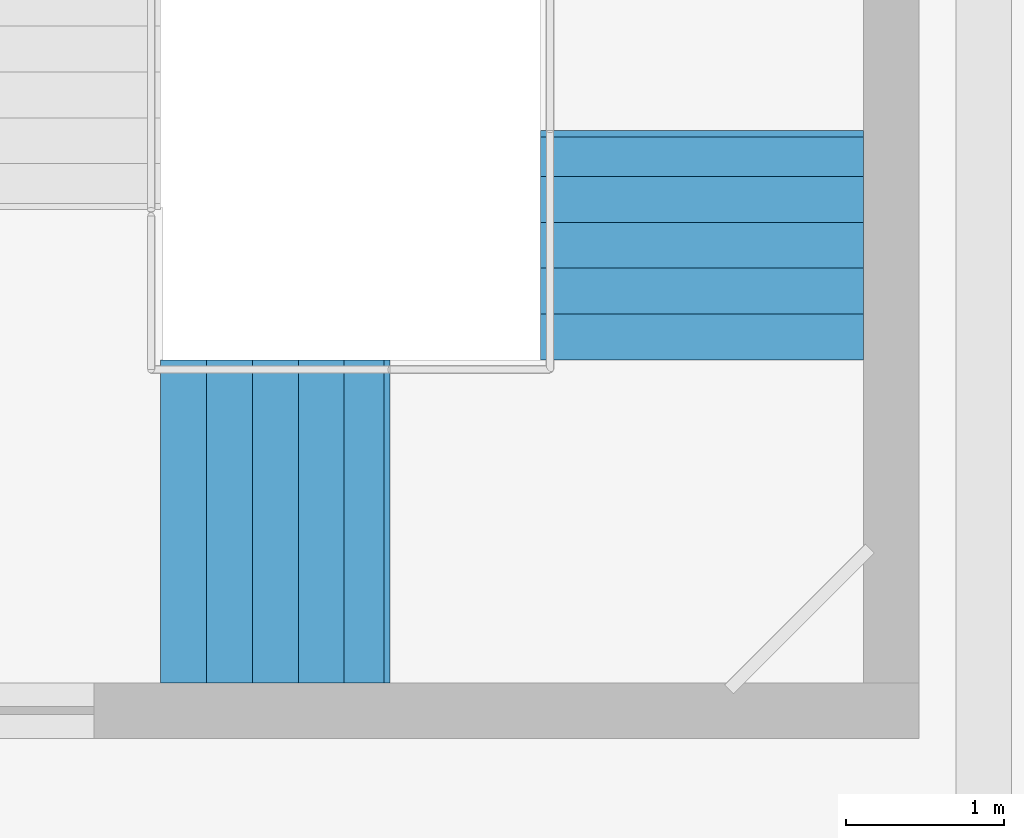
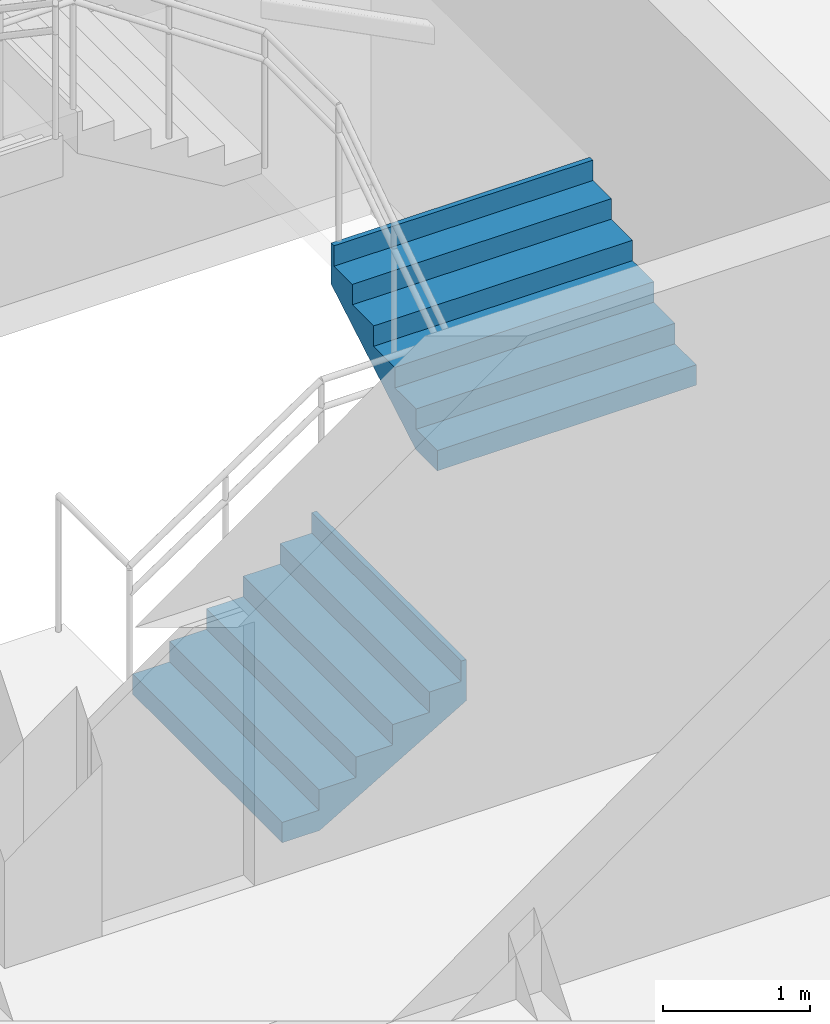
# One storey, part 50 of 53: 2 stair flights, 1 element without a shape of its own.
"""IFC4 building model written with IfcOpenShell, lengths in metres."""

from ifc_helpers import new_model, si_unit, direction, frame, origin, place, context, subcontext, project, spatial, triangles, material, type_object, element, aggregate, save


model = new_model("IFC4")

# Units and contexts
model_context = context("Model", 3, precision=1e-05, world=origin(), true_north=direction((0.0, 1.0)))
body_context = subcontext(model_context, "Body", "Model", "MODEL_VIEW")
ifc_project = project(units=[si_unit("LENGTHUNIT", "METRE"), si_unit("AREAUNIT", "SQUARE_METRE"), si_unit("VOLUMEUNIT", "CUBIC_METRE"), si_unit("PLANEANGLEUNIT", "RADIAN"), si_unit("MASSUNIT", "GRAM", prefix="KILO")], contexts=[model_context])

# Site, building, storey
site_placement = place(None, origin())
site = spatial("IfcSite", under=ifc_project, at=site_placement, CompositionType="ELEMENT")
building_placement = place(site_placement, origin())
building = spatial("IfcBuilding", under=site, at=building_placement, Name="Sillaruma Civic Art Gallery", CompositionType="ELEMENT")
storey_placement = place(building_placement, frame((0.0, 0.0, 70.3798828125)))
storey = spatial("IfcBuildingStorey", under=building, at=storey_placement, Name="L14", CompositionType="ELEMENT", Elevation=70.3798828125)

# Stair, stair flights
ifc_material = material(Name="Concrete H35 (35 MPa)", Category="concrete")
stair_type = type_object("IfcStairType", Name="STR-4F-24", PredefinedType="USERDEFINED", material=ifc_material)
stair_placement = place(storey_placement, origin())
stair = element("IfcStair", 1, at=stair_placement, inside=storey, type_object=stair_type, Name="Protected Exit Stair ST-02 (West Bar North) (L14)", ObjectType="THREE_RETURN_STAIR", PredefinedType="USERDEFINED")
stair_flight_type = type_object("IfcStairFlightType", Name="SFL-STR-6", PredefinedType="STRAIGHT", material=ifc_material)
stair_flight_1_placement = place(storey_placement, frame((64.800048828125, 81.929931640625, 0.0), z_axis=(0.0, 0.0, 1.0), x_axis=(1.0, 0.0, 0.0)))
stair_flight_1 = element("IfcStairFlight", 2, at=stair_flight_1_placement, type_object=stair_flight_type, Name="ST-02 flight 1", NumberOfRisers=6, NumberOfTreads=5, PredefinedType="STRAIGHT", RiserHeight=0.17, TreadLength=0.29, context=body_context, shape_type="Tessellation", body=[
    triangles([(0.0, -1.02001953125, 0.0), (0.29, -1.02001953125, 0.0), (0.296365, -1.02001953125, 0.0), (0.58, -1.02001953125, 0.166269), (0.87, -1.02001953125, 0.336269), (1.16, -1.02001953125, 0.506269), (1.409951, -1.02001953125, 0.652792), (1.449951, -1.02001953125, 0.67624), (1.449951, -1.02001953125, 1.02), (1.409951, -1.02001953125, 1.02), (1.409951, -1.02001953125, 0.85), (1.16, -1.02001953125, 0.85), (1.16, -1.02001953125, 0.68), (0.87, -1.02001953125, 0.68), (0.87, -1.02001953125, 0.51), (0.58, -1.02001953125, 0.51), (0.58, -1.02001953125, 0.34), (0.296365, -1.02001953125, 0.34), (0.29, -1.02001953125, 0.34), (0.29, -1.02001953125, 0.17), (0.0, -1.02001953125, 0.17), (0.0, -0.05, 0.0), (0.29, -0.05, 0.0), (0.296365, -0.05, 0.0), (0.58, -0.05, 0.166269), (0.87, -0.05, 0.336269), (1.16, -0.05, 0.506269), (1.409951, -0.05, 0.652792), (1.449951, -0.05, 0.67624), (1.449951, -0.05, 1.02), (1.409951, -0.05, 1.02), (1.409951, -0.05, 0.85), (1.16, -0.05, 0.85), (1.16, -0.05, 0.68), (0.87, -0.05, 0.68), (0.87, -0.05, 0.51), (0.58, -0.05, 0.51), (0.58, -0.05, 0.34), (0.296365, -0.05, 0.34), (0.29, -0.05, 0.34), (0.29, -0.05, 0.17), (0.0, -0.05, 0.17), (0.0, -0.0375, 0.0), (0.29, -0.0375, 0.0), (0.296365, -0.0375, 0.0), (0.58, -0.0375, 0.166269), (0.87, -0.0375, 0.336269), (1.16, -0.0375, 0.506269), (1.409951, -0.0375, 0.652792), (1.449951, -0.0375, 0.67624), (1.449951, -0.0375, 1.02), (1.409951, -0.0375, 1.02), (1.409951, -0.0375, 0.85), (1.16, -0.0375, 0.85), (1.16, -0.0375, 0.68), (0.87, -0.0375, 0.68), (0.87, -0.0375, 0.51), (0.58, -0.0375, 0.51), (0.58, -0.0375, 0.34), (0.296365, -0.0375, 0.34), (0.29, -0.0375, 0.34), (0.29, -0.0375, 0.17), (0.0, -0.0375, 0.17), (0.0, -0.025, 0.0), (0.29, -0.025, 0.0), (0.296365, -0.025, 0.0), (0.58, -0.025, 0.166269), (0.87, -0.025, 0.336269), (1.16, -0.025, 0.506269), (1.409951, -0.025, 0.652792), (1.449951, -0.025, 0.67624), (1.449951, -0.025, 1.02), (1.409951, -0.025, 1.02), (1.409951, -0.025, 0.85), (1.16, -0.025, 0.85), (1.16, -0.025, 0.68), (0.87, -0.025, 0.68), (0.87, -0.025, 0.51), (0.58, -0.025, 0.51), (0.58, -0.025, 0.34), (0.296365, -0.025, 0.34), (0.29, -0.025, 0.34), (0.29, -0.025, 0.17), (0.0, -0.025, 0.17), (0.0, -0.0125, 0.0), (0.29, -0.0125, 0.0), (0.296365, -0.0125, 0.0), (0.58, -0.0125, 0.166269), (0.87, -0.0125, 0.336269), (1.16, -0.0125, 0.506269), (1.409951, -0.0125, 0.652792), (1.449951, -0.0125, 0.67624), (1.449951, -0.0125, 1.02), (1.409951, -0.0125, 1.02), (1.409951, -0.0125, 0.85), (1.16, -0.0125, 0.85), (1.16, -0.0125, 0.68), (0.87, -0.0125, 0.68), (0.87, -0.0125, 0.51), (0.58, -0.0125, 0.51), (0.58, -0.0125, 0.34), (0.296365, -0.0125, 0.34), (0.29, -0.0125, 0.34), (0.29, -0.0125, 0.17), (0.0, -0.0125, 0.17), (0.0, 0.0, 0.0), (0.29, 0.0, 0.0), (0.296365, 0.0, 0.0), (0.58, 0.0, 0.166269), (0.87, 0.0, 0.336269), (1.16, 0.0, 0.506269), (1.409951, 0.0, 0.652792), (1.449951, 0.0, 0.67624), (1.449951, 0.0, 1.02), (1.409951, 0.0, 1.02), (1.409951, 0.0, 0.85), (1.16, 0.0, 0.85), (1.16, 0.0, 0.68), (0.87, 0.0, 0.68), (0.87, 0.0, 0.51), (0.58, 0.0, 0.51), (0.58, 0.0, 0.34), (0.296365, 0.0, 0.34), (0.29, 0.0, 0.34), (0.29, 0.0, 0.17), (0.0, 0.0, 0.17), (0.0, 0.0125, 0.0), (0.29, 0.0125, 0.0), (0.296365, 0.0125, 0.0), (0.58, 0.0125, 0.166269), (0.87, 0.0125, 0.336269), (1.16, 0.0125, 0.506269), (1.409951, 0.0125, 0.652792), (1.449951, 0.0125, 0.67624), (1.449951, 0.0125, 1.02), (1.409951, 0.0125, 1.02), (1.409951, 0.0125, 0.85), (1.16, 0.0125, 0.85), (1.16, 0.0125, 0.68), (0.87, 0.0125, 0.68), (0.87, 0.0125, 0.51), (0.58, 0.0125, 0.51), (0.58, 0.0125, 0.34), (0.296365, 0.0125, 0.34), (0.29, 0.0125, 0.34), (0.29, 0.0125, 0.17), (0.0, 0.0125, 0.17), (0.0, 0.025, 0.0), (0.29, 0.025, 0.0), (0.296365, 0.025, 0.0), (0.58, 0.025, 0.166269), (0.87, 0.025, 0.336269), (1.16, 0.025, 0.506269), (1.409951, 0.025, 0.652792), (1.449951, 0.025, 0.67624), (1.449951, 0.025, 1.02), (1.409951, 0.025, 1.02), (1.409951, 0.025, 0.85), (1.16, 0.025, 0.85), (1.16, 0.025, 0.68), (0.87, 0.025, 0.68), (0.87, 0.025, 0.51), (0.58, 0.025, 0.51), (0.58, 0.025, 0.34), (0.296365, 0.025, 0.34), (0.29, 0.025, 0.34), (0.29, 0.025, 0.17), (0.0, 0.025, 0.17), (0.0, 0.0375, 0.0), (0.29, 0.0375, 0.0), (0.296365, 0.0375, 0.0), (0.58, 0.0375, 0.166269), (0.87, 0.0375, 0.336269), (1.16, 0.0375, 0.506269), (1.409951, 0.0375, 0.652792), (1.449951, 0.0375, 0.67624), (1.449951, 0.0375, 1.02), (1.409951, 0.0375, 1.02), (1.409951, 0.0375, 0.85), (1.16, 0.0375, 0.85), (1.16, 0.0375, 0.68), (0.87, 0.0375, 0.68), (0.87, 0.0375, 0.51), (0.58, 0.0375, 0.51), (0.58, 0.0375, 0.34), (0.296365, 0.0375, 0.34), (0.29, 0.0375, 0.34), (0.29, 0.0375, 0.17), (0.0, 0.0375, 0.17), (0.0, 0.05, 0.0), (0.29, 0.05, 0.0), (0.296365, 0.05, 0.0), (0.58, 0.05, 0.166269), (0.87, 0.05, 0.336269), (1.16, 0.05, 0.506269), (1.409951, 0.05, 0.652792), (1.449951, 0.05, 0.67624), (1.449951, 0.05, 1.02), (1.409951, 0.05, 1.02), (1.409951, 0.05, 0.85), (1.16, 0.05, 0.85), (1.16, 0.05, 0.68), (0.87, 0.05, 0.68), (0.87, 0.05, 0.51), (0.58, 0.05, 0.51), (0.58, 0.05, 0.34), (0.296365, 0.05, 0.34), (0.29, 0.05, 0.34), (0.29, 0.05, 0.17), (0.0, 0.05, 0.17), (0.0, 1.02001953125, 0.0), (0.29, 1.02001953125, 0.0), (0.296365, 1.02001953125, 0.0), (0.58, 1.02001953125, 0.166269), (0.87, 1.02001953125, 0.336269), (1.16, 1.02001953125, 0.506269), (1.409951, 1.02001953125, 0.652792), (1.449951, 1.02001953125, 0.67624), (1.449951, 1.02001953125, 1.02), (1.409951, 1.02001953125, 1.02), (1.409951, 1.02001953125, 0.85), (1.16, 1.02001953125, 0.85), (1.16, 1.02001953125, 0.68), (0.87, 1.02001953125, 0.68), (0.87, 1.02001953125, 0.51), (0.58, 1.02001953125, 0.51), (0.58, 1.02001953125, 0.34), (0.296365, 1.02001953125, 0.34), (0.29, 1.02001953125, 0.34), (0.29, 1.02001953125, 0.17), (0.0, 1.02001953125, 0.17)], [[1, 2, 20], [1, 20, 21], [2, 3, 18], [2, 18, 20], [20, 18, 19], [3, 4, 17], [3, 17, 18], [4, 5, 15], [4, 15, 17], [17, 15, 16], [5, 6, 13], [5, 13, 15], [15, 13, 14], [6, 7, 11], [6, 11, 13], [13, 11, 12], [7, 8, 9], [7, 9, 11], [11, 9, 10], [230, 212, 211], [231, 230, 211], [228, 213, 212], [230, 228, 212], [229, 228, 230], [227, 214, 213], [228, 227, 213], [225, 215, 214], [227, 225, 214], [226, 225, 227], [223, 216, 215], [225, 223, 215], [224, 223, 225], [221, 217, 216], [223, 221, 216], [222, 221, 223], [219, 218, 217], [221, 219, 217], [220, 219, 221], [2, 1, 22], [2, 22, 23], [3, 2, 23], [3, 23, 24], [4, 3, 24], [4, 24, 25], [5, 4, 25], [5, 25, 26], [6, 5, 26], [6, 26, 27], [7, 6, 27], [7, 27, 28], [8, 7, 28], [8, 28, 29], [9, 8, 29], [9, 29, 30], [10, 9, 30], [10, 30, 31], [11, 10, 31], [11, 31, 32], [12, 11, 32], [12, 32, 33], [13, 12, 33], [13, 33, 34], [14, 13, 34], [14, 34, 35], [15, 14, 35], [15, 35, 36], [16, 15, 36], [16, 36, 37], [17, 16, 37], [17, 37, 38], [18, 17, 38], [18, 38, 39], [19, 18, 39], [19, 39, 40], [20, 19, 40], [20, 40, 41], [21, 20, 41], [21, 41, 42], [1, 21, 42], [1, 42, 22], [23, 22, 43], [23, 43, 44], [24, 23, 44], [24, 44, 45], [25, 24, 45], [25, 45, 46], [26, 25, 46], [26, 46, 47], [27, 26, 47], [27, 47, 48], [28, 27, 48], [28, 48, 49], [29, 28, 49], [29, 49, 50], [30, 29, 50], [30, 50, 51], [31, 30, 51], [31, 51, 52], [32, 31, 52], [32, 52, 53], [33, 32, 53], [33, 53, 54], [34, 33, 54], [34, 54, 55], [35, 34, 55], [35, 55, 56], [36, 35, 56], [36, 56, 57], [37, 36, 57], [37, 57, 58], [38, 37, 58], [38, 58, 59], [39, 38, 59], [39, 59, 60], [40, 39, 60], [40, 60, 61], [41, 40, 61], [41, 61, 62], [42, 41, 62], [42, 62, 63], [22, 42, 63], [22, 63, 43], [44, 43, 64], [44, 64, 65], [45, 44, 65], [45, 65, 66], [46, 45, 66], [46, 66, 67], [47, 46, 67], [47, 67, 68], [48, 47, 68], [48, 68, 69], [49, 48, 69], [49, 69, 70], [50, 49, 70], [50, 70, 71], [51, 50, 71], [51, 71, 72], [52, 51, 72], [52, 72, 73], [53, 52, 73], [53, 73, 74], [54, 53, 74], [54, 74, 75], [55, 54, 75], [55, 75, 76], [56, 55, 76], [56, 76, 77], [57, 56, 77], [57, 77, 78], [58, 57, 78], [58, 78, 79], [59, 58, 79], [59, 79, 80], [60, 59, 80], [60, 80, 81], [61, 60, 81], [61, 81, 82], [62, 61, 82], [62, 82, 83], [63, 62, 83], [63, 83, 84], [43, 63, 84], [43, 84, 64], [65, 64, 85], [65, 85, 86], [66, 65, 86], [66, 86, 87], [67, 66, 87], [67, 87, 88], [68, 67, 88], [68, 88, 89], [69, 68, 89], [69, 89, 90], [70, 69, 90], [70, 90, 91], [71, 70, 91], [71, 91, 92], [72, 71, 92], [72, 92, 93], [73, 72, 93], [73, 93, 94], [74, 73, 94], [74, 94, 95], [75, 74, 95], [75, 95, 96], [76, 75, 96], [76, 96, 97], [77, 76, 97], [77, 97, 98], [78, 77, 98], [78, 98, 99], [79, 78, 99], [79, 99, 100], [80, 79, 100], [80, 100, 101], [81, 80, 101], [81, 101, 102], [82, 81, 102], [82, 102, 103], [83, 82, 103], [83, 103, 104], [84, 83, 104], [84, 104, 105], [64, 84, 105], [64, 105, 85], [86, 85, 106], [86, 106, 107], [87, 86, 107], [87, 107, 108], [88, 87, 108], [88, 108, 109], [89, 88, 109], [89, 109, 110], [90, 89, 110], [90, 110, 111], [91, 90, 111], [91, 111, 112], [92, 91, 112], [92, 112, 113], [93, 92, 113], [93, 113, 114], [94, 93, 114], [94, 114, 115], [95, 94, 115], [95, 115, 116], [96, 95, 116], [96, 116, 117], [97, 96, 117], [97, 117, 118], [98, 97, 118], [98, 118, 119], [99, 98, 119], [99, 119, 120], [100, 99, 120], [100, 120, 121], [101, 100, 121], [101, 121, 122], [102, 101, 122], [102, 122, 123], [103, 102, 123], [103, 123, 124], [104, 103, 124], [104, 124, 125], [105, 104, 125], [105, 125, 126], [85, 105, 126], [85, 126, 106], [107, 106, 127], [107, 127, 128], [108, 107, 128], [108, 128, 129], [109, 108, 129], [109, 129, 130], [110, 109, 130], [110, 130, 131], [111, 110, 131], [111, 131, 132], [112, 111, 132], [112, 132, 133], [113, 112, 133], [113, 133, 134], [114, 113, 134], [114, 134, 135], [115, 114, 135], [115, 135, 136], [116, 115, 136], [116, 136, 137], [117, 116, 137], [117, 137, 138], [118, 117, 138], [118, 138, 139], [119, 118, 139], [119, 139, 140], [120, 119, 140], [120, 140, 141], [121, 120, 141], [121, 141, 142], [122, 121, 142], [122, 142, 143], [123, 122, 143], [123, 143, 144], [124, 123, 144], [124, 144, 145], [125, 124, 145], [125, 145, 146], [126, 125, 146], [126, 146, 147], [106, 126, 147], [106, 147, 127], [128, 127, 148], [128, 148, 149], [129, 128, 149], [129, 149, 150], [130, 129, 150], [130, 150, 151], [131, 130, 151], [131, 151, 152], [132, 131, 152], [132, 152, 153], [133, 132, 153], [133, 153, 154], [134, 133, 154], [134, 154, 155], [135, 134, 155], [135, 155, 156], [136, 135, 156], [136, 156, 157], [137, 136, 157], [137, 157, 158], [138, 137, 158], [138, 158, 159], [139, 138, 159], [139, 159, 160], [140, 139, 160], [140, 160, 161], [141, 140, 161], [141, 161, 162], [142, 141, 162], [142, 162, 163], [143, 142, 163], [143, 163, 164], [144, 143, 164], [144, 164, 165], [145, 144, 165], [145, 165, 166], [146, 145, 166], [146, 166, 167], [147, 146, 167], [147, 167, 168], [127, 147, 168], [127, 168, 148], [149, 148, 169], [149, 169, 170], [150, 149, 170], [150, 170, 171], [151, 150, 171], [151, 171, 172], [152, 151, 172], [152, 172, 173], [153, 152, 173], [153, 173, 174], [154, 153, 174], [154, 174, 175], [155, 154, 175], [155, 175, 176], [156, 155, 176], [156, 176, 177], [157, 156, 177], [157, 177, 178], [158, 157, 178], [158, 178, 179], [159, 158, 179], [159, 179, 180], [160, 159, 180], [160, 180, 181], [161, 160, 181], [161, 181, 182], [162, 161, 182], [162, 182, 183], [163, 162, 183], [163, 183, 184], [164, 163, 184], [164, 184, 185], [165, 164, 185], [165, 185, 186], [166, 165, 186], [166, 186, 187], [167, 166, 187], [167, 187, 188], [168, 167, 188], [168, 188, 189], [148, 168, 189], [148, 189, 169], [170, 169, 190], [170, 190, 191], [171, 170, 191], [171, 191, 192], [172, 171, 192], [172, 192, 193], [173, 172, 193], [173, 193, 194], [174, 173, 194], [174, 194, 195], [175, 174, 195], [175, 195, 196], [176, 175, 196], [176, 196, 197], [177, 176, 197], [177, 197, 198], [178, 177, 198], [178, 198, 199], [179, 178, 199], [179, 199, 200], [180, 179, 200], [180, 200, 201], [181, 180, 201], [181, 201, 202], [182, 181, 202], [182, 202, 203], [183, 182, 203], [183, 203, 204], [184, 183, 204], [184, 204, 205], [185, 184, 205], [185, 205, 206], [186, 185, 206], [186, 206, 207], [187, 186, 207], [187, 207, 208], [188, 187, 208], [188, 208, 209], [189, 188, 209], [189, 209, 210], [169, 189, 210], [169, 210, 190], [191, 190, 211], [191, 211, 212], [192, 191, 212], [192, 212, 213], [193, 192, 213], [193, 213, 214], [194, 193, 214], [194, 214, 215], [195, 194, 215], [195, 215, 216], [196, 195, 216], [196, 216, 217], [197, 196, 217], [197, 217, 218], [198, 197, 218], [198, 218, 219], [199, 198, 219], [199, 219, 220], [200, 199, 220], [200, 220, 221], [201, 200, 221], [201, 221, 222], [202, 201, 222], [202, 222, 223], [203, 202, 223], [203, 223, 224], [204, 203, 224], [204, 224, 225], [205, 204, 225], [205, 225, 226], [206, 205, 226], [206, 226, 227], [207, 206, 227], [207, 227, 228], [208, 207, 228], [208, 228, 229], [209, 208, 229], [209, 229, 230], [210, 209, 230], [210, 230, 231], [190, 210, 231], [190, 231, 211]], closed=True),
])
stair_flight_2_placement = place(storey_placement, frame((68.219970703125, 82.949951171875, 1.02001953125), z_axis=(0.0, 0.0, 1.0), x_axis=(0.0, 1.0, 0.0)))
stair_flight_2 = element("IfcStairFlight", 3, at=stair_flight_2_placement, type_object=stair_flight_type, Name="ST-02 flight 2", NumberOfRisers=6, NumberOfTreads=5, PredefinedType="STRAIGHT", RiserHeight=0.17, TreadLength=0.29, context=body_context, shape_type="Tessellation", body=[
    triangles([(0.0, -1.02001953125, 0.0), (0.29, -1.02001953125, 0.0), (0.296365, -1.02001953125, 0.0), (0.58, -1.02001953125, 0.166269), (0.87, -1.02001953125, 0.336269), (1.16, -1.02001953125, 0.506269), (1.409951, -1.02001953125, 0.652792), (1.449951, -1.02001953125, 0.67624), (1.449951, -1.02001953125, 1.02), (1.409951, -1.02001953125, 1.02), (1.409951, -1.02001953125, 0.85), (1.16, -1.02001953125, 0.85), (1.16, -1.02001953125, 0.68), (0.87, -1.02001953125, 0.68), (0.87, -1.02001953125, 0.51), (0.58, -1.02001953125, 0.51), (0.58, -1.02001953125, 0.34), (0.296365, -1.02001953125, 0.34), (0.29, -1.02001953125, 0.34), (0.29, -1.02001953125, 0.17), (0.0, -1.02001953125, 0.17), (0.0, -0.05, 0.0), (0.29, -0.05, 0.0), (0.296365, -0.05, 0.0), (0.58, -0.05, 0.166269), (0.87, -0.05, 0.336269), (1.16, -0.05, 0.506269), (1.409951, -0.05, 0.652792), (1.449951, -0.05, 0.67624), (1.449951, -0.05, 1.02), (1.409951, -0.05, 1.02), (1.409951, -0.05, 0.85), (1.16, -0.05, 0.85), (1.16, -0.05, 0.68), (0.87, -0.05, 0.68), (0.87, -0.05, 0.51), (0.58, -0.05, 0.51), (0.58, -0.05, 0.34), (0.296365, -0.05, 0.34), (0.29, -0.05, 0.34), (0.29, -0.05, 0.17), (0.0, -0.05, 0.17), (0.0, -0.0375, 0.0), (0.29, -0.0375, 0.0), (0.296365, -0.0375, 0.0), (0.58, -0.0375, 0.166269), (0.87, -0.0375, 0.336269), (1.16, -0.0375, 0.506269), (1.409951, -0.0375, 0.652792), (1.449951, -0.0375, 0.67624), (1.449951, -0.0375, 1.02), (1.409951, -0.0375, 1.02), (1.409951, -0.0375, 0.85), (1.16, -0.0375, 0.85), (1.16, -0.0375, 0.68), (0.87, -0.0375, 0.68), (0.87, -0.0375, 0.51), (0.58, -0.0375, 0.51), (0.58, -0.0375, 0.34), (0.296365, -0.0375, 0.34), (0.29, -0.0375, 0.34), (0.29, -0.0375, 0.17), (0.0, -0.0375, 0.17), (0.0, -0.025, 0.0), (0.29, -0.025, 0.0), (0.296365, -0.025, 0.0), (0.58, -0.025, 0.166269), (0.87, -0.025, 0.336269), (1.16, -0.025, 0.506269), (1.409951, -0.025, 0.652792), (1.449951, -0.025, 0.67624), (1.449951, -0.025, 1.02), (1.409951, -0.025, 1.02), (1.409951, -0.025, 0.85), (1.16, -0.025, 0.85), (1.16, -0.025, 0.68), (0.87, -0.025, 0.68), (0.87, -0.025, 0.51), (0.58, -0.025, 0.51), (0.58, -0.025, 0.34), (0.296365, -0.025, 0.34), (0.29, -0.025, 0.34), (0.29, -0.025, 0.17), (0.0, -0.025, 0.17), (0.0, -0.0125, 0.0), (0.29, -0.0125, 0.0), (0.296365, -0.0125, 0.0), (0.58, -0.0125, 0.166269), (0.87, -0.0125, 0.336269), (1.16, -0.0125, 0.506269), (1.409951, -0.0125, 0.652792), (1.449951, -0.0125, 0.67624), (1.449951, -0.0125, 1.02), (1.409951, -0.0125, 1.02), (1.409951, -0.0125, 0.85), (1.16, -0.0125, 0.85), (1.16, -0.0125, 0.68), (0.87, -0.0125, 0.68), (0.87, -0.0125, 0.51), (0.58, -0.0125, 0.51), (0.58, -0.0125, 0.34), (0.296365, -0.0125, 0.34), (0.29, -0.0125, 0.34), (0.29, -0.0125, 0.17), (0.0, -0.0125, 0.17), (0.0, 0.0, 0.0), (0.29, 0.0, 0.0), (0.296365, 0.0, 0.0), (0.58, 0.0, 0.166269), (0.87, 0.0, 0.336269), (1.16, 0.0, 0.506269), (1.409951, 0.0, 0.652792), (1.449951, 0.0, 0.67624), (1.449951, 0.0, 1.02), (1.409951, 0.0, 1.02), (1.409951, 0.0, 0.85), (1.16, 0.0, 0.85), (1.16, 0.0, 0.68), (0.87, 0.0, 0.68), (0.87, 0.0, 0.51), (0.58, 0.0, 0.51), (0.58, 0.0, 0.34), (0.296365, 0.0, 0.34), (0.29, 0.0, 0.34), (0.29, 0.0, 0.17), (0.0, 0.0, 0.17), (0.0, 0.0125, 0.0), (0.29, 0.0125, 0.0), (0.296365, 0.0125, 0.0), (0.58, 0.0125, 0.166269), (0.87, 0.0125, 0.336269), (1.16, 0.0125, 0.506269), (1.409951, 0.0125, 0.652792), (1.449951, 0.0125, 0.67624), (1.449951, 0.0125, 1.02), (1.409951, 0.0125, 1.02), (1.409951, 0.0125, 0.85), (1.16, 0.0125, 0.85), (1.16, 0.0125, 0.68), (0.87, 0.0125, 0.68), (0.87, 0.0125, 0.51), (0.58, 0.0125, 0.51), (0.58, 0.0125, 0.34), (0.296365, 0.0125, 0.34), (0.29, 0.0125, 0.34), (0.29, 0.0125, 0.17), (0.0, 0.0125, 0.17), (0.0, 0.025, 0.0), (0.29, 0.025, 0.0), (0.296365, 0.025, 0.0), (0.58, 0.025, 0.166269), (0.87, 0.025, 0.336269), (1.16, 0.025, 0.506269), (1.409951, 0.025, 0.652792), (1.449951, 0.025, 0.67624), (1.449951, 0.025, 1.02), (1.409951, 0.025, 1.02), (1.409951, 0.025, 0.85), (1.16, 0.025, 0.85), (1.16, 0.025, 0.68), (0.87, 0.025, 0.68), (0.87, 0.025, 0.51), (0.58, 0.025, 0.51), (0.58, 0.025, 0.34), (0.296365, 0.025, 0.34), (0.29, 0.025, 0.34), (0.29, 0.025, 0.17), (0.0, 0.025, 0.17), (0.0, 0.0375, 0.0), (0.29, 0.0375, 0.0), (0.296365, 0.0375, 0.0), (0.58, 0.0375, 0.166269), (0.87, 0.0375, 0.336269), (1.16, 0.0375, 0.506269), (1.409951, 0.0375, 0.652792), (1.449951, 0.0375, 0.67624), (1.449951, 0.0375, 1.02), (1.409951, 0.0375, 1.02), (1.409951, 0.0375, 0.85), (1.16, 0.0375, 0.85), (1.16, 0.0375, 0.68), (0.87, 0.0375, 0.68), (0.87, 0.0375, 0.51), (0.58, 0.0375, 0.51), (0.58, 0.0375, 0.34), (0.296365, 0.0375, 0.34), (0.29, 0.0375, 0.34), (0.29, 0.0375, 0.17), (0.0, 0.0375, 0.17), (0.0, 0.05, 0.0), (0.29, 0.05, 0.0), (0.296365, 0.05, 0.0), (0.58, 0.05, 0.166269), (0.87, 0.05, 0.336269), (1.16, 0.05, 0.506269), (1.409951, 0.05, 0.652792), (1.449951, 0.05, 0.67624), (1.449951, 0.05, 1.02), (1.409951, 0.05, 1.02), (1.409951, 0.05, 0.85), (1.16, 0.05, 0.85), (1.16, 0.05, 0.68), (0.87, 0.05, 0.68), (0.87, 0.05, 0.51), (0.58, 0.05, 0.51), (0.58, 0.05, 0.34), (0.296365, 0.05, 0.34), (0.29, 0.05, 0.34), (0.29, 0.05, 0.17), (0.0, 0.05, 0.17), (0.0, 1.02001953125, 0.0), (0.29, 1.02001953125, 0.0), (0.296365, 1.02001953125, 0.0), (0.58, 1.02001953125, 0.166269), (0.87, 1.02001953125, 0.336269), (1.16, 1.02001953125, 0.506269), (1.409951, 1.02001953125, 0.652792), (1.449951, 1.02001953125, 0.67624), (1.449951, 1.02001953125, 1.02), (1.409951, 1.02001953125, 1.02), (1.409951, 1.02001953125, 0.85), (1.16, 1.02001953125, 0.85), (1.16, 1.02001953125, 0.68), (0.87, 1.02001953125, 0.68), (0.87, 1.02001953125, 0.51), (0.58, 1.02001953125, 0.51), (0.58, 1.02001953125, 0.34), (0.296365, 1.02001953125, 0.34), (0.29, 1.02001953125, 0.34), (0.29, 1.02001953125, 0.17), (0.0, 1.02001953125, 0.17)], [[1, 2, 20], [1, 20, 21], [2, 3, 18], [2, 18, 20], [20, 18, 19], [3, 4, 17], [3, 17, 18], [4, 5, 15], [4, 15, 17], [17, 15, 16], [5, 6, 13], [5, 13, 15], [15, 13, 14], [6, 7, 11], [6, 11, 13], [13, 11, 12], [7, 8, 9], [7, 9, 11], [11, 9, 10], [230, 212, 211], [231, 230, 211], [228, 213, 212], [230, 228, 212], [229, 228, 230], [227, 214, 213], [228, 227, 213], [225, 215, 214], [227, 225, 214], [226, 225, 227], [223, 216, 215], [225, 223, 215], [224, 223, 225], [221, 217, 216], [223, 221, 216], [222, 221, 223], [219, 218, 217], [221, 219, 217], [220, 219, 221], [2, 1, 22], [2, 22, 23], [3, 2, 23], [3, 23, 24], [4, 3, 24], [4, 24, 25], [5, 4, 25], [5, 25, 26], [6, 5, 26], [6, 26, 27], [7, 6, 27], [7, 27, 28], [8, 7, 28], [8, 28, 29], [9, 8, 29], [9, 29, 30], [10, 9, 30], [10, 30, 31], [11, 10, 31], [11, 31, 32], [12, 11, 32], [12, 32, 33], [13, 12, 33], [13, 33, 34], [14, 13, 34], [14, 34, 35], [15, 14, 35], [15, 35, 36], [16, 15, 36], [16, 36, 37], [17, 16, 37], [17, 37, 38], [18, 17, 38], [18, 38, 39], [19, 18, 39], [19, 39, 40], [20, 19, 40], [20, 40, 41], [21, 20, 41], [21, 41, 42], [1, 21, 42], [1, 42, 22], [23, 22, 43], [23, 43, 44], [24, 23, 44], [24, 44, 45], [25, 24, 45], [25, 45, 46], [26, 25, 46], [26, 46, 47], [27, 26, 47], [27, 47, 48], [28, 27, 48], [28, 48, 49], [29, 28, 49], [29, 49, 50], [30, 29, 50], [30, 50, 51], [31, 30, 51], [31, 51, 52], [32, 31, 52], [32, 52, 53], [33, 32, 53], [33, 53, 54], [34, 33, 54], [34, 54, 55], [35, 34, 55], [35, 55, 56], [36, 35, 56], [36, 56, 57], [37, 36, 57], [37, 57, 58], [38, 37, 58], [38, 58, 59], [39, 38, 59], [39, 59, 60], [40, 39, 60], [40, 60, 61], [41, 40, 61], [41, 61, 62], [42, 41, 62], [42, 62, 63], [22, 42, 63], [22, 63, 43], [44, 43, 64], [44, 64, 65], [45, 44, 65], [45, 65, 66], [46, 45, 66], [46, 66, 67], [47, 46, 67], [47, 67, 68], [48, 47, 68], [48, 68, 69], [49, 48, 69], [49, 69, 70], [50, 49, 70], [50, 70, 71], [51, 50, 71], [51, 71, 72], [52, 51, 72], [52, 72, 73], [53, 52, 73], [53, 73, 74], [54, 53, 74], [54, 74, 75], [55, 54, 75], [55, 75, 76], [56, 55, 76], [56, 76, 77], [57, 56, 77], [57, 77, 78], [58, 57, 78], [58, 78, 79], [59, 58, 79], [59, 79, 80], [60, 59, 80], [60, 80, 81], [61, 60, 81], [61, 81, 82], [62, 61, 82], [62, 82, 83], [63, 62, 83], [63, 83, 84], [43, 63, 84], [43, 84, 64], [65, 64, 85], [65, 85, 86], [66, 65, 86], [66, 86, 87], [67, 66, 87], [67, 87, 88], [68, 67, 88], [68, 88, 89], [69, 68, 89], [69, 89, 90], [70, 69, 90], [70, 90, 91], [71, 70, 91], [71, 91, 92], [72, 71, 92], [72, 92, 93], [73, 72, 93], [73, 93, 94], [74, 73, 94], [74, 94, 95], [75, 74, 95], [75, 95, 96], [76, 75, 96], [76, 96, 97], [77, 76, 97], [77, 97, 98], [78, 77, 98], [78, 98, 99], [79, 78, 99], [79, 99, 100], [80, 79, 100], [80, 100, 101], [81, 80, 101], [81, 101, 102], [82, 81, 102], [82, 102, 103], [83, 82, 103], [83, 103, 104], [84, 83, 104], [84, 104, 105], [64, 84, 105], [64, 105, 85], [86, 85, 106], [86, 106, 107], [87, 86, 107], [87, 107, 108], [88, 87, 108], [88, 108, 109], [89, 88, 109], [89, 109, 110], [90, 89, 110], [90, 110, 111], [91, 90, 111], [91, 111, 112], [92, 91, 112], [92, 112, 113], [93, 92, 113], [93, 113, 114], [94, 93, 114], [94, 114, 115], [95, 94, 115], [95, 115, 116], [96, 95, 116], [96, 116, 117], [97, 96, 117], [97, 117, 118], [98, 97, 118], [98, 118, 119], [99, 98, 119], [99, 119, 120], [100, 99, 120], [100, 120, 121], [101, 100, 121], [101, 121, 122], [102, 101, 122], [102, 122, 123], [103, 102, 123], [103, 123, 124], [104, 103, 124], [104, 124, 125], [105, 104, 125], [105, 125, 126], [85, 105, 126], [85, 126, 106], [107, 106, 127], [107, 127, 128], [108, 107, 128], [108, 128, 129], [109, 108, 129], [109, 129, 130], [110, 109, 130], [110, 130, 131], [111, 110, 131], [111, 131, 132], [112, 111, 132], [112, 132, 133], [113, 112, 133], [113, 133, 134], [114, 113, 134], [114, 134, 135], [115, 114, 135], [115, 135, 136], [116, 115, 136], [116, 136, 137], [117, 116, 137], [117, 137, 138], [118, 117, 138], [118, 138, 139], [119, 118, 139], [119, 139, 140], [120, 119, 140], [120, 140, 141], [121, 120, 141], [121, 141, 142], [122, 121, 142], [122, 142, 143], [123, 122, 143], [123, 143, 144], [124, 123, 144], [124, 144, 145], [125, 124, 145], [125, 145, 146], [126, 125, 146], [126, 146, 147], [106, 126, 147], [106, 147, 127], [128, 127, 148], [128, 148, 149], [129, 128, 149], [129, 149, 150], [130, 129, 150], [130, 150, 151], [131, 130, 151], [131, 151, 152], [132, 131, 152], [132, 152, 153], [133, 132, 153], [133, 153, 154], [134, 133, 154], [134, 154, 155], [135, 134, 155], [135, 155, 156], [136, 135, 156], [136, 156, 157], [137, 136, 157], [137, 157, 158], [138, 137, 158], [138, 158, 159], [139, 138, 159], [139, 159, 160], [140, 139, 160], [140, 160, 161], [141, 140, 161], [141, 161, 162], [142, 141, 162], [142, 162, 163], [143, 142, 163], [143, 163, 164], [144, 143, 164], [144, 164, 165], [145, 144, 165], [145, 165, 166], [146, 145, 166], [146, 166, 167], [147, 146, 167], [147, 167, 168], [127, 147, 168], [127, 168, 148], [149, 148, 169], [149, 169, 170], [150, 149, 170], [150, 170, 171], [151, 150, 171], [151, 171, 172], [152, 151, 172], [152, 172, 173], [153, 152, 173], [153, 173, 174], [154, 153, 174], [154, 174, 175], [155, 154, 175], [155, 175, 176], [156, 155, 176], [156, 176, 177], [157, 156, 177], [157, 177, 178], [158, 157, 178], [158, 178, 179], [159, 158, 179], [159, 179, 180], [160, 159, 180], [160, 180, 181], [161, 160, 181], [161, 181, 182], [162, 161, 182], [162, 182, 183], [163, 162, 183], [163, 183, 184], [164, 163, 184], [164, 184, 185], [165, 164, 185], [165, 185, 186], [166, 165, 186], [166, 186, 187], [167, 166, 187], [167, 187, 188], [168, 167, 188], [168, 188, 189], [148, 168, 189], [148, 189, 169], [170, 169, 190], [170, 190, 191], [171, 170, 191], [171, 191, 192], [172, 171, 192], [172, 192, 193], [173, 172, 193], [173, 193, 194], [174, 173, 194], [174, 194, 195], [175, 174, 195], [175, 195, 196], [176, 175, 196], [176, 196, 197], [177, 176, 197], [177, 197, 198], [178, 177, 198], [178, 198, 199], [179, 178, 199], [179, 199, 200], [180, 179, 200], [180, 200, 201], [181, 180, 201], [181, 201, 202], [182, 181, 202], [182, 202, 203], [183, 182, 203], [183, 203, 204], [184, 183, 204], [184, 204, 205], [185, 184, 205], [185, 205, 206], [186, 185, 206], [186, 206, 207], [187, 186, 207], [187, 207, 208], [188, 187, 208], [188, 208, 209], [189, 188, 209], [189, 209, 210], [169, 189, 210], [169, 210, 190], [191, 190, 211], [191, 211, 212], [192, 191, 212], [192, 212, 213], [193, 192, 213], [193, 213, 214], [194, 193, 214], [194, 214, 215], [195, 194, 215], [195, 215, 216], [196, 195, 216], [196, 216, 217], [197, 196, 217], [197, 217, 218], [198, 197, 218], [198, 218, 219], [199, 198, 219], [199, 219, 220], [200, 199, 220], [200, 220, 221], [201, 200, 221], [201, 221, 222], [202, 201, 222], [202, 222, 223], [203, 202, 223], [203, 223, 224], [204, 203, 224], [204, 224, 225], [205, 204, 225], [205, 225, 226], [206, 205, 226], [206, 226, 227], [207, 206, 227], [207, 227, 228], [208, 207, 228], [208, 228, 229], [209, 208, 229], [209, 229, 230], [210, 209, 230], [210, 230, 231], [190, 210, 231], [190, 231, 211]], closed=True),
])
aggregate(stair, [stair_flight_1, stair_flight_2])

save(model, "model.ifc")
